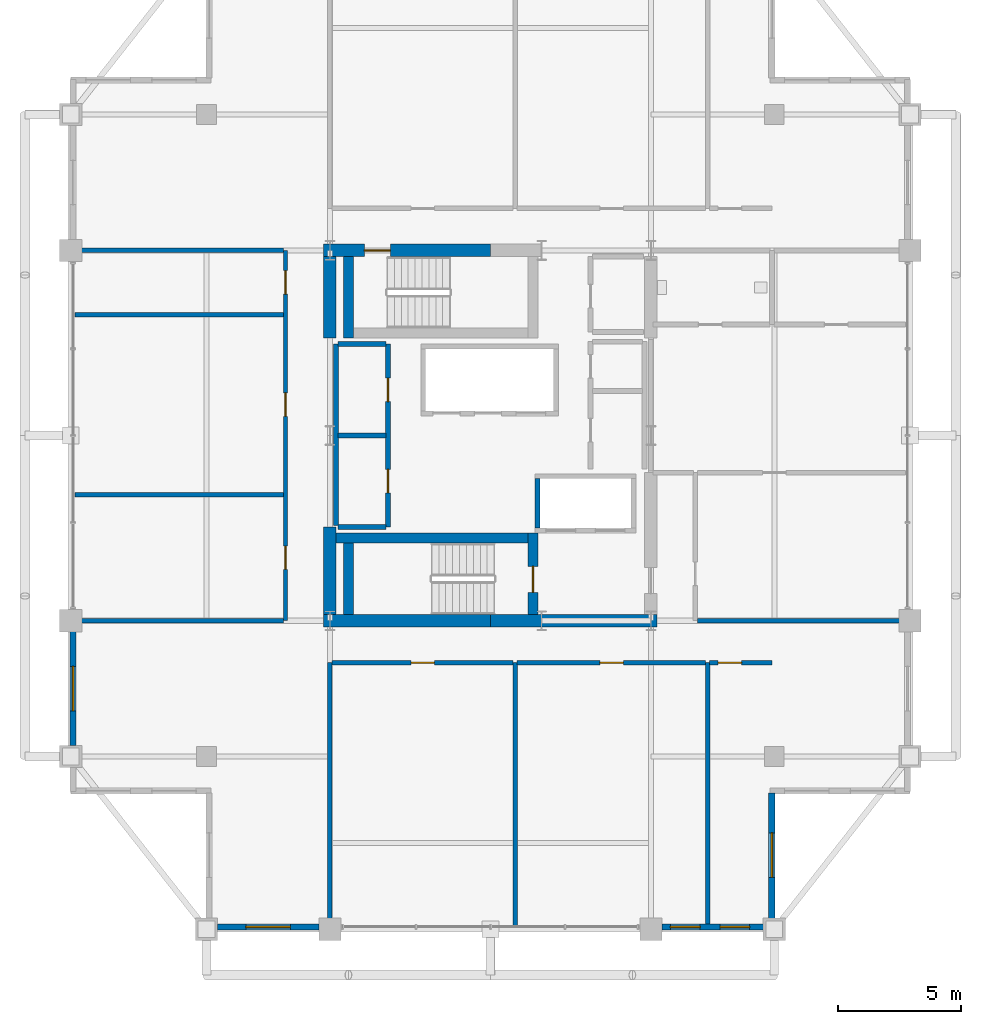
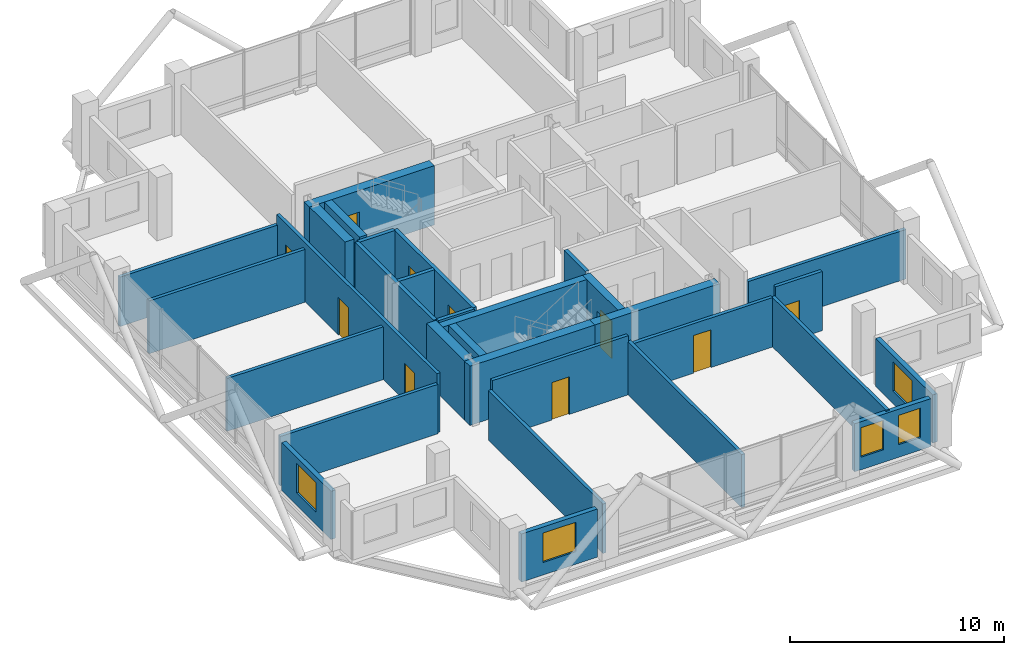
# One storey, part 19 of 24: 31 walls, 10 doors, 5 windows, 15 openings.
"""IFC4 building model written with IfcOpenShell, lengths in metres."""

from ifc_helpers import new_model, si_unit, direction, frame, frame_2d, origin, place, context, subcontext, project, spatial, rectangle, extrude, material, layer, layer_set, type_object, element, fill, save


model = new_model("IFC4")

# Units and contexts
model_context = context("Model", 3, precision=1e-05, world=origin(), true_north=direction((0.0, 1.0)))
body_context = subcontext(model_context, "Body", "Model", "MODEL_VIEW")
ifc_project = project(units=[si_unit("LENGTHUNIT", "METRE"), si_unit("AREAUNIT", "SQUARE_METRE"), si_unit("VOLUMEUNIT", "CUBIC_METRE"), si_unit("PLANEANGLEUNIT", "RADIAN"), si_unit("MASSUNIT", "GRAM", prefix="KILO")], contexts=[model_context])

# Site, building, storey
site_placement = place(None, origin())
site = spatial("IfcSite", under=ifc_project, at=site_placement, CompositionType="ELEMENT")
building_placement = place(site_placement, origin())
building = spatial("IfcBuilding", under=site, at=building_placement, Name="Barlavira Tower and Art Museum", CompositionType="ELEMENT")
storey_placement = place(building_placement, frame((0.0, 0.0, 272.699951171875)))
storey = spatial("IfcBuildingStorey", under=building, at=storey_placement, Name="L71", CompositionType="ELEMENT", Elevation=272.699951171875)

# Walls
ifc_material_1 = material(Name="Concrete C60", Category="concrete")
ifc_layer_1 = layer(ifc_material_1, 0.5, Name="Concrete C60")
ifc_layer_set_1 = layer_set([ifc_layer_1], Name="Concrete C60")
wall_type_1 = type_object("IfcWallType", Name="Core Structural Shear Wall 500 Concrete C60", PredefinedType="SHEAR", material=ifc_layer_set_1)
for number, where, z_axis, x_axis, name in (
    (1, (-6.75, -7.5, 0.0), (0.0, 0.0, 1.0), (1.0, 0.0, 0.0), "L71 Core Shear Wall CS-SW"),
    (2, (0.0, -7.5, 0.0), (0.0, 0.0, 1.0), (1.0, 0.0, 0.0), "L71 Core Shear Wall CS-SE"),
):
    element("IfcWall", number, at=place(storey_placement, frame(where, z_axis=z_axis, x_axis=x_axis)), inside=storey, type_object=wall_type_1, Name=name, PredefinedType="SHEAR", context=body_context, shape_type="SweptSolid", body=[
        extrude(rectangle(XDim=6.75, YDim=0.5, at=frame_2d((3.375, 0.0))), origin(), (0.0, 0.0, 1.0), 3.380126953125),
    ])

# Wall, opening, door
wall_1_placement = place(storey_placement, frame((-6.75, 7.5, 0.0), z_axis=(0.0, 0.0, 1.0), x_axis=(1.0, 0.0, 0.0)))
wall_1 = element("IfcWall", 3, at=wall_1_placement, inside=storey, type_object=wall_type_1, Name="L71 Core Shear Wall CS-NW", PredefinedType="SHEAR", context=body_context, shape_type="SweptSolid", body=[
    extrude(rectangle(XDim=6.75, YDim=0.5, at=frame_2d((3.375, 0.0))), origin(), (0.0, 0.0, 1.0), 3.380126953125),
])
opening_1_placement = place(wall_1_placement, frame((1.64990234375, 0.0, 0.0)))
opening_1 = element("IfcOpeningElement", 4, at=opening_1_placement, cuts=wall_1, Name="Opening FD-90", PredefinedType="OPENING", context=body_context, shape_type="SweptSolid", body=[
    extrude(rectangle(XDim=1.050048828125, YDim=2.14990234375, at=frame_2d((0.52490234375, 1.074951171875))), frame((0.0, 0.260009765625, 0.0), z_axis=(0.0, -1.0, 0.0), x_axis=(1.0, 0.0, 0.0)), (0.0, 0.0, 1.0), 0.52001953125),
])
ifc_material_2 = material(Name="Brushed stainless steel", Category="steel")
door_type_1 = type_object("IfcDoorType", Name="Stair and Refuge Fire Door 1050x2150 FD90S", OperationType="NOTDEFINED", PredefinedType="DOOR", material=ifc_material_2)
door_1_placement = place(opening_1_placement, origin())
door_1 = element("IfcDoor", 5, at=door_1_placement, inside=storey, type_object=door_type_1, Name="L71 Stair ST-T2 Fire Door", OperationType="SINGLE_SWING_LEFT", OverallHeight=2.14990234375, OverallWidth=1.050048828125, PredefinedType="DOOR", context=body_context, shape_type="SweptSolid", body=[
    extrude(rectangle(XDim=1.050048828125, YDim=2.14990234375, at=frame_2d((0.52490234375, 1.074951171875))), frame((0.0, 0.02490234375, 0.0), z_axis=(0.0, -1.0, 0.0), x_axis=(1.0, 0.0, 0.0)), (0.0, 0.0, 1.0), 0.050048828125),
])
fill(opening_1, door_1)

# Walls
wall_2_placement = place(storey_placement, frame((-6.5, -7.25, 0.0), z_axis=(0.0, 0.0, 1.0), x_axis=(0.0, 1.0, 0.0)))
element("IfcWall", 6, at=wall_2_placement, inside=storey, type_object=wall_type_1, Name="L71 Core Shear Wall CS-W1", PredefinedType="SHEAR", context=body_context, shape_type="SweptSolid", body=[
    extrude(rectangle(XDim=3.550048828125, YDim=0.5, at=frame_2d((1.77490234375, 0.0))), origin(), (0.0, 0.0, 1.0), 3.380126953125),
])
wall_3_placement = place(storey_placement, frame((-6.5, 3.949951171875, 0.0), z_axis=(0.0, 0.0, 1.0), x_axis=(0.0, 1.0, 0.0)))
element("IfcWall", 7, at=wall_3_placement, inside=storey, type_object=wall_type_1, Name="L71 Core Shear Wall CS-W2", PredefinedType="SHEAR", context=body_context, shape_type="SweptSolid", body=[
    extrude(rectangle(XDim=3.300048828125, YDim=0.5, at=frame_2d((1.64990234375, 0.0))), origin(), (0.0, 0.0, 1.0), 3.380126953125),
])
ifc_material_3 = material(Name="Autoclaved aerated concrete masonry", Category="masonry")
ifc_layer_2 = layer(ifc_material_3, 0.199951171875, Name="Autoclaved aerated concrete masonry")
ifc_layer_set_2 = layer_set([ifc_layer_2], Name="Autoclaved aerated concrete masonry")
wall_type_2 = type_object("IfcWallType", Name="Fire Compartment and Shaft Wall 200", PredefinedType="SOLIDWALL", material=ifc_layer_set_2)
wall_4_placement = place(storey_placement, frame((1.89990234375, -3.75, 0.0), z_axis=(0.0, 0.0, 1.0), x_axis=(0.0, 1.0, 0.0)))
element("IfcWall", 8, at=wall_4_placement, inside=storey, type_object=wall_type_2, Name="L71 Firefighting Lift West Shaft Wall", PredefinedType="SOLIDWALL", context=body_context, shape_type="SweptSolid", body=[
    extrude(rectangle(XDim=2.0, YDim=0.199951171875, at=frame_2d((1.0, 0.0))), origin(), (0.0, 0.0, 1.0), 3.380126953125),
])
wall_5_placement = place(storey_placement, frame((-6.25, -3.639892578125, 0.0), z_axis=(0.0, 0.0, 1.0), x_axis=(0.0, 1.0, 0.0)))
element("IfcWall", 9, at=wall_5_placement, inside=storey, type_object=wall_type_2, Name="L71 Partition Wall 4", PredefinedType="SOLIDWALL", context=body_context, shape_type="SweptSolid", body=[
    extrude(rectangle(XDim=7.33984375, YDim=0.199951171875, at=frame_2d((3.669921875, 0.0))), origin(), (0.0, 0.0, 1.0), 3.380126953125),
])

# Wall, openings, doors
wall_6_placement = place(storey_placement, frame((-4.14990234375, -3.699951171875, 0.0), z_axis=(0.0, 0.0, 1.0), x_axis=(0.0, 1.0, 0.0)))
wall_6 = element("IfcWall", 10, at=wall_6_placement, inside=storey, type_object=wall_type_2, Name="L71 Partition Wall 5", PredefinedType="SOLIDWALL", context=body_context, shape_type="SweptSolid", body=[
    extrude(rectangle(XDim=7.39990234375, YDim=0.199951171875, at=frame_2d((3.699951171875, 0.0))), origin(), (0.0, 0.0, 1.0), 3.380126953125),
])
opening_2_placement = place(wall_6_placement, frame((1.375, 0.0, 0.0)))
opening_2 = element("IfcOpeningElement", 11, at=opening_2_placement, cuts=wall_6, Name="Opening FD-60", PredefinedType="OPENING", context=body_context, shape_type="SweptSolid", body=[
    extrude(rectangle(XDim=0.949951171875, YDim=2.14990234375, at=frame_2d((0.47509765625, 1.074951171875))), frame((0.0, 0.10986328125, 0.0), z_axis=(0.0, -1.0, 0.0), x_axis=(1.0, 0.0, 0.0)), (0.0, 0.0, 1.0), 0.219970703125),
])
opening_3_placement = place(wall_6_placement, frame((5.074951171875, 0.0, 0.0)))
opening_3 = element("IfcOpeningElement", 12, at=opening_3_placement, cuts=wall_6, Name="Opening FD-60", PredefinedType="OPENING", context=body_context, shape_type="SweptSolid", body=[
    extrude(rectangle(XDim=0.949951171875, YDim=2.14990234375, at=frame_2d((0.47509765625, 1.074951171875))), frame((0.0, 0.10986328125, 0.0), z_axis=(0.0, -1.0, 0.0), x_axis=(1.0, 0.0, 0.0)), (0.0, 0.0, 1.0), 0.219970703125),
])
door_type_2 = type_object("IfcDoorType", Name="Apartment Entrance and Riser Fire Door 950x2150 FD60S", OperationType="NOTDEFINED", PredefinedType="DOOR", material=ifc_material_2)
door_2_placement = place(opening_2_placement, origin())
door_2 = element("IfcDoor", 13, at=door_2_placement, inside=storey, type_object=door_type_2, Name="Reclaimed Core Linen and Amenity Store Door", OperationType="SINGLE_SWING_RIGHT", OverallHeight=2.14990234375, OverallWidth=0.949951171875, PredefinedType="DOOR", context=body_context, shape_type="SweptSolid", body=[
    extrude(rectangle(XDim=0.949951171875, YDim=2.14990234375, at=frame_2d((0.47509765625, 1.074951171875))), frame((0.0, 0.02490234375, 0.0), z_axis=(0.0, -1.0, 0.0), x_axis=(1.0, 0.0, 0.0)), (0.0, 0.0, 1.0), 0.050048828125),
])
fill(opening_2, door_2)
door_3_placement = place(opening_3_placement, origin())
door_3 = element("IfcDoor", 14, at=door_3_placement, inside=storey, type_object=door_type_2, Name="Reclaimed Core Telecom and BMS Room Door", OperationType="SINGLE_SWING_LEFT", OverallHeight=2.14990234375, OverallWidth=0.949951171875, PredefinedType="DOOR", context=body_context, shape_type="SweptSolid", body=[
    extrude(rectangle(XDim=0.949951171875, YDim=2.14990234375, at=frame_2d((0.47509765625, 1.074951171875))), frame((0.0, 0.02490234375, 0.0), z_axis=(0.0, -1.0, 0.0), x_axis=(1.0, 0.0, 0.0)), (0.0, 0.0, 1.0), 0.050048828125),
])
fill(opening_3, door_3)

# Walls
for number, where, z_axis, x_axis, name in (
    (15, (-6.169921875, -3.699951171875, 0.0), (0.0, 0.0, 1.0), (1.0, 0.0, 0.0), "L71 Partition Wall 21"),
    (16, (-6.169921875, 0.0, 0.0), (0.0, 0.0, 1.0), (1.0, 0.0, 0.0), "L71 Partition Wall 25"),
    (17, (-6.169921875, 3.699951171875, 0.0), (0.0, 0.0, 1.0), (1.0, 0.0, 0.0), "L71 Partition Wall 27"),
):
    element("IfcWall", number, at=place(storey_placement, frame(where, z_axis=z_axis, x_axis=x_axis)), inside=storey, type_object=wall_type_2, Name=name, PredefinedType="SOLIDWALL", context=body_context, shape_type="SweptSolid", body=[
        extrude(rectangle(XDim=1.93994140625, YDim=0.199951171875, at=frame_2d((0.969970703125, 0.0))), origin(), (0.0, 0.0, 1.0), 3.380126953125),
    ])

# Wall, openings, doors
ifc_material_4 = material(Name="Gypsum acoustic stud partition", Category="gypsum")
ifc_layer_3 = layer(ifc_material_4, 0.179931640625, Name="Gypsum acoustic stud partition")
ifc_layer_set_3 = layer_set([ifc_layer_3], Name="Gypsum acoustic stud partition")
wall_type_3 = type_object("IfcWallType", Name="Inter-Tenancy Party Partition Wall 180", PredefinedType="PARTITIONING", material=ifc_layer_set_3)
wall_7_placement = place(storey_placement, frame((-8.300048828125, -7.5, 0.0), z_axis=(0.0, 0.0, 1.0), x_axis=(0.0, 1.0, 0.0)))
wall_7 = element("IfcWall", 18, at=wall_7_placement, inside=storey, type_object=wall_type_3, Name="L71 Partition Wall 1", PredefinedType="PARTITIONING", context=body_context, shape_type="SweptSolid", body=[
    extrude(rectangle(XDim=15.0, YDim=0.179931640625, at=frame_2d((7.5, 0.0))), origin(), (0.0, 0.0, 1.0), 3.380126953125),
])
opening_4_placement = place(wall_7_placement, frame((2.074951171875, 0.0, 0.0)))
opening_4 = element("IfcOpeningElement", 19, at=opening_4_placement, cuts=wall_7, Name="Opening FD-60", PredefinedType="OPENING", context=body_context, shape_type="SweptSolid", body=[
    extrude(rectangle(XDim=0.949951171875, YDim=2.14990234375, at=frame_2d((0.47509765625, 1.074951171875))), frame((0.0, 0.10009765625, 0.0), z_axis=(0.0, -1.0, 0.0), x_axis=(1.0, 0.0, 0.0)), (0.0, 0.0, 1.0), 0.199951171875),
])
opening_5_placement = place(wall_7_placement, frame((8.27490234375, 0.0, 0.0)))
opening_5 = element("IfcOpeningElement", 20, at=opening_5_placement, cuts=wall_7, Name="Opening FD-60", PredefinedType="OPENING", context=body_context, shape_type="SweptSolid", body=[
    extrude(rectangle(XDim=0.949951171875, YDim=2.14990234375, at=frame_2d((0.47509765625, 1.074951171875))), frame((0.0, 0.10009765625, 0.0), z_axis=(0.0, -1.0, 0.0), x_axis=(1.0, 0.0, 0.0)), (0.0, 0.0, 1.0), 0.199951171875),
])
opening_6_placement = place(wall_7_placement, frame((13.22509765625, 0.0, 0.0)))
opening_6 = element("IfcOpeningElement", 21, at=opening_6_placement, cuts=wall_7, Name="Opening FD-60", PredefinedType="OPENING", context=body_context, shape_type="SweptSolid", body=[
    extrude(rectangle(XDim=0.949951171875, YDim=2.14990234375, at=frame_2d((0.47509765625, 1.074951171875))), frame((0.0, 0.10009765625, 0.0), z_axis=(0.0, -1.0, 0.0), x_axis=(1.0, 0.0, 0.0)), (0.0, 0.0, 1.0), 0.199951171875),
])
door_4_placement = place(opening_4_placement, origin())
door_4 = element("IfcDoor", 22, at=door_4_placement, inside=storey, type_object=door_type_2, Name="Resident Sky Coworking Studio Door", OperationType="SINGLE_SWING_LEFT", OverallHeight=2.14990234375, OverallWidth=0.949951171875, PredefinedType="DOOR", context=body_context, shape_type="SweptSolid", body=[
    extrude(rectangle(XDim=0.949951171875, YDim=2.14990234375, at=frame_2d((0.47509765625, 1.074951171875))), frame((0.0, 0.02490234375, 0.0), z_axis=(0.0, -1.0, 0.0), x_axis=(1.0, 0.0, 0.0)), (0.0, 0.0, 1.0), 0.050048828125),
])
fill(opening_4, door_4)
door_5_placement = place(opening_5_placement, origin())
door_5 = element("IfcDoor", 23, at=door_5_placement, inside=storey, type_object=door_type_2, Name="Atlantic Horizon Boardroom Door", OperationType="SINGLE_SWING_RIGHT", OverallHeight=2.14990234375, OverallWidth=0.949951171875, PredefinedType="DOOR", context=body_context, shape_type="SweptSolid", body=[
    extrude(rectangle(XDim=0.949951171875, YDim=2.14990234375, at=frame_2d((0.47509765625, 1.074951171875))), frame((0.0, 0.02490234375, 0.0), z_axis=(0.0, -1.0, 0.0), x_axis=(1.0, 0.0, 0.0)), (0.0, 0.0, 1.0), 0.050048828125),
])
fill(opening_5, door_5)
door_6_placement = place(opening_6_placement, origin())
door_6 = element("IfcDoor", 24, at=door_6_placement, inside=storey, type_object=door_type_2, Name="Shared Coworking Espresso Pantry Door", OperationType="SINGLE_SWING_LEFT", OverallHeight=2.14990234375, OverallWidth=0.949951171875, PredefinedType="DOOR", context=body_context, shape_type="SweptSolid", body=[
    extrude(rectangle(XDim=0.949951171875, YDim=2.14990234375, at=frame_2d((0.47509765625, 1.074951171875))), frame((0.0, 0.02490234375, 0.0), z_axis=(0.0, -1.0, 0.0), x_axis=(1.0, 0.0, 0.0)), (0.0, 0.0, 1.0), 0.050048828125),
])
fill(opening_6, door_6)

# Walls
wall_8_placement = place(storey_placement, frame((-6.5, -19.89990234375, 0.0), z_axis=(0.0, 0.0, 1.0), x_axis=(0.0, 1.0, 0.0)))
element("IfcWall", 25, at=wall_8_placement, inside=storey, type_object=wall_type_3, Name="L71 Partition Wall 2", PredefinedType="PARTITIONING", context=body_context, shape_type="SweptSolid", body=[
    extrude(rectangle(XDim=10.699951171875, YDim=0.179931640625, at=frame_2d((5.35009765625, 0.0))), origin(), (0.0, 0.0, 1.0), 2.825927734375),
])
wall_9_placement = place(storey_placement, frame((1.0, -19.89990234375, 0.0), z_axis=(0.0, 0.0, 1.0), x_axis=(0.0, 1.0, 0.0)))
element("IfcWall", 26, at=wall_9_placement, inside=storey, type_object=wall_type_3, Name="L71 Partition Wall 6", PredefinedType="PARTITIONING", context=body_context, shape_type="SweptSolid", body=[
    extrude(rectangle(XDim=10.699951171875, YDim=0.179931640625, at=frame_2d((5.35009765625, 0.0))), origin(), (0.0, 0.0, 1.0), 3.01806640625),
])
wall_10_placement = place(storey_placement, frame((8.800048828125, -19.89990234375, 0.0), z_axis=(0.0, 0.0, 1.0), x_axis=(0.0, 1.0, 0.0)))
element("IfcWall", 27, at=wall_10_placement, inside=storey, type_object=wall_type_3, Name="L71 Partition Wall 13", PredefinedType="PARTITIONING", context=body_context, shape_type="SweptSolid", body=[
    extrude(rectangle(XDim=10.699951171875, YDim=0.179931640625, at=frame_2d((5.35009765625, 0.0))), origin(), (0.0, 0.0, 1.0), 2.825927734375),
])

# Wall, opening, door
wall_11_placement = place(storey_placement, frame((-6.419921875, -9.199951171875, 0.0), z_axis=(0.0, 0.0, 1.0), x_axis=(1.0, 0.0, 0.0)))
wall_11 = element("IfcWall", 28, at=wall_11_placement, inside=storey, type_object=wall_type_3, Name="L71 Partition Wall 16", PredefinedType="PARTITIONING", context=body_context, shape_type="SweptSolid", body=[
    extrude(rectangle(XDim=7.33984375, YDim=0.179931640625, at=frame_2d((3.669921875, 0.0))), origin(), (0.0, 0.0, 1.0), 3.380126953125),
])
opening_7_placement = place(wall_11_placement, frame((3.205078125, 0.0, 0.0)))
opening_7 = element("IfcOpeningElement", 29, at=opening_7_placement, cuts=wall_11, Name="Opening FD-60", PredefinedType="OPENING", context=body_context, shape_type="SweptSolid", body=[
    extrude(rectangle(XDim=0.949951171875, YDim=2.14990234375, at=frame_2d((0.47509765625, 1.074951171875))), frame((0.0, 0.10009765625, 0.0), z_axis=(0.0, -1.0, 0.0), x_axis=(1.0, 0.0, 0.0)), (0.0, 0.0, 1.0), 0.199951171875),
])
door_7_placement = place(opening_7_placement, origin())
door_7 = element("IfcDoor", 30, at=door_7_placement, inside=storey, type_object=door_type_2, Name="Resident Rare-Book Reading Room Door", OperationType="SINGLE_SWING_LEFT", OverallHeight=2.14990234375, OverallWidth=0.949951171875, PredefinedType="DOOR", context=body_context, shape_type="SweptSolid", body=[
    extrude(rectangle(XDim=0.949951171875, YDim=2.14990234375, at=frame_2d((0.47509765625, 1.074951171875))), frame((0.0, 0.02490234375, 0.0), z_axis=(0.0, -1.0, 0.0), x_axis=(1.0, 0.0, 0.0)), (0.0, 0.0, 1.0), 0.050048828125),
])
fill(opening_7, door_7)

wall_12_placement = place(storey_placement, frame((1.080078125, -9.199951171875, 0.0), z_axis=(0.0, 0.0, 1.0), x_axis=(1.0, 0.0, 0.0)))
wall_12 = element("IfcWall", 31, at=wall_12_placement, inside=storey, type_object=wall_type_3, Name="L71 Partition Wall 17", PredefinedType="PARTITIONING", context=body_context, shape_type="SweptSolid", body=[
    extrude(rectangle(XDim=7.639892578125, YDim=0.179931640625, at=frame_2d((3.81982421875, 0.0))), origin(), (0.0, 0.0, 1.0), 2.825927734375),
])
opening_8_placement = place(wall_12_placement, frame((3.35498046875, 0.0, 0.0)))
opening_8 = element("IfcOpeningElement", 32, at=opening_8_placement, cuts=wall_12, Name="Opening FD-60", PredefinedType="OPENING", context=body_context, shape_type="SweptSolid", body=[
    extrude(rectangle(XDim=0.949951171875, YDim=2.14990234375, at=frame_2d((0.47509765625, 1.074951171875))), frame((0.0, 0.10009765625, 0.0), z_axis=(0.0, -1.0, 0.0), x_axis=(1.0, 0.0, 0.0)), (0.0, 0.0, 1.0), 0.199951171875),
])
door_8_placement = place(opening_8_placement, origin())
door_8 = element("IfcDoor", 33, at=door_8_placement, inside=storey, type_object=door_type_2, Name="Private Coastal Dining Salon Door", OperationType="SINGLE_SWING_RIGHT", OverallHeight=2.14990234375, OverallWidth=0.949951171875, PredefinedType="DOOR", context=body_context, shape_type="SweptSolid", body=[
    extrude(rectangle(XDim=0.949951171875, YDim=2.14990234375, at=frame_2d((0.47509765625, 1.074951171875))), frame((0.0, 0.02490234375, 0.0), z_axis=(0.0, -1.0, 0.0), x_axis=(1.0, 0.0, 0.0)), (0.0, 0.0, 1.0), 0.050048828125),
])
fill(opening_8, door_8)

wall_13_placement = place(storey_placement, frame((8.8798828125, -9.199951171875, 0.0), z_axis=(0.0, 0.0, 1.0), x_axis=(1.0, 0.0, 0.0)))
wall_13 = element("IfcWall", 34, at=wall_13_placement, inside=storey, type_object=wall_type_3, Name="L71 Partition Wall 18", PredefinedType="PARTITIONING", context=body_context, shape_type="SweptSolid", body=[
    extrude(rectangle(XDim=2.52001953125, YDim=0.179931640625, at=frame_2d((1.260009765625, 0.0))), origin(), (0.0, 0.0, 1.0), 3.380126953125),
])
opening_9_placement = place(wall_13_placement, frame((0.344970703125, 0.0, 0.0)))
opening_9 = element("IfcOpeningElement", 35, at=opening_9_placement, cuts=wall_13, Name="Opening FD-60", PredefinedType="OPENING", context=body_context, shape_type="SweptSolid", body=[
    extrude(rectangle(XDim=0.949951171875, YDim=2.14990234375, at=frame_2d((0.47509765625, 1.074951171875))), frame((0.0, 0.10009765625, 0.0), z_axis=(0.0, -1.0, 0.0), x_axis=(1.0, 0.0, 0.0)), (0.0, 0.0, 1.0), 0.199951171875),
])
door_9_placement = place(opening_9_placement, origin())
door_9 = element("IfcDoor", 36, at=door_9_placement, inside=storey, type_object=door_type_2, Name="Shared Catering Kitchen Door", OperationType="SINGLE_SWING_LEFT", OverallHeight=2.14990234375, OverallWidth=0.949951171875, PredefinedType="DOOR", context=body_context, shape_type="SweptSolid", body=[
    extrude(rectangle(XDim=0.949951171875, YDim=2.14990234375, at=frame_2d((0.47509765625, 1.074951171875))), frame((0.0, 0.02490234375, 0.0), z_axis=(0.0, -1.0, 0.0), x_axis=(1.0, 0.0, 0.0)), (0.0, 0.0, 1.0), 0.050048828125),
])
fill(opening_9, door_9)

# Walls
for number, where, z_axis, x_axis, name in (
    (37, (-16.89990234375, -7.5, 0.0), (0.0, 0.0, 1.0), (1.0, 0.0, 0.0), "L71 Partition Wall 19"),
    (38, (8.3798828125, -7.5, 0.0), (0.0, 0.0, 1.0), (1.0, 0.0, 0.0), "L71 Partition Wall 20"),
):
    element("IfcWall", number, at=place(storey_placement, frame(where, z_axis=z_axis, x_axis=x_axis)), inside=storey, type_object=wall_type_3, Name=name, PredefinedType="PARTITIONING", context=body_context, shape_type="SweptSolid", body=[
        extrude(rectangle(XDim=8.52001953125, YDim=0.179931640625, at=frame_2d((4.260009765625, 0.0))), origin(), (0.0, 0.0, 1.0), 2.825927734375),
    ])
for number, where, z_axis, x_axis, name in (
    (39, (-16.820068359375, -2.39990234375, 0.0), (0.0, 0.0, 1.0), (1.0, 0.0, 0.0), "L71 Partition Wall 22"),
    (40, (-16.820068359375, 4.89990234375, 0.0), (0.0, 0.0, 1.0), (1.0, 0.0, 0.0), "L71 Partition Wall 32"),
):
    element("IfcWall", number, at=place(storey_placement, frame(where, z_axis=z_axis, x_axis=x_axis)), inside=storey, type_object=wall_type_3, Name=name, PredefinedType="PARTITIONING", context=body_context, shape_type="SweptSolid", body=[
        extrude(rectangle(XDim=8.440185546875, YDim=0.179931640625, at=frame_2d((4.22021484375, 0.0))), origin(), (0.0, 0.0, 1.0), 3.01806640625),
    ])
wall_14_placement = place(storey_placement, frame((-16.89990234375, 7.5, 0.0), z_axis=(0.0, 0.0, 1.0), x_axis=(1.0, 0.0, 0.0)))
element("IfcWall", 41, at=wall_14_placement, inside=storey, type_object=wall_type_3, Name="L71 Partition Wall 34", PredefinedType="PARTITIONING", context=body_context, shape_type="SweptSolid", body=[
    extrude(rectangle(XDim=8.52001953125, YDim=0.179931640625, at=frame_2d((4.260009765625, 0.0))), origin(), (0.0, 0.0, 1.0), 2.825927734375),
])

# Wall, opening, window
ifc_material_5 = material(Name="Precast concrete C40", Category="concrete")
ifc_layer_4 = layer(ifc_material_5, 0.25, Name="Precast concrete C40")
ifc_layer_set_4 = layer_set([ifc_layer_4], Name="Precast concrete C40")
wall_type_4 = type_object("IfcWallType", Name="Notched Corner Spandrel Wall 250 Precast Concrete C40", PredefinedType="SOLIDWALL", material=ifc_layer_set_4)
wall_15_placement = place(storey_placement, frame((-11.054931640625, -19.89990234375, 0.0), z_axis=(0.0, 0.0, 1.0), x_axis=(1.0, 0.0, 0.0)))
wall_15 = element("IfcWall", 42, at=wall_15_placement, inside=storey, type_object=wall_type_4, Name="L71 Coastal Facade Pier Wall CW4-L71-S-1", PredefinedType="SOLIDWALL", context=body_context, shape_type="SweptSolid", body=[
    extrude(rectangle(XDim=4.10986328125, YDim=0.25, at=frame_2d((2.054931640625, 0.0))), origin(), (0.0, 0.0, 1.0), 2.748046875),
])
opening_10_placement = place(wall_15_placement, frame((1.155029296875, 0.0, 0.719970703125)))
opening_10 = element("IfcOpeningElement", 43, at=opening_10_placement, cuts=wall_15, Name="Opening WN-01", PredefinedType="OPENING", context=body_context, shape_type="SweptSolid", body=[
    extrude(rectangle(XDim=1.800048828125, YDim=1.679931640625, at=frame_2d((0.89990234375, 0.83984375))), frame((0.0, 0.135009765625, 0.0), z_axis=(0.0, -1.0, 0.0), x_axis=(1.0, 0.0, 0.0)), (0.0, 0.0, 1.0), 0.27001953125),
])
ifc_material_6 = material(Name="Low-iron coastal laminated glass", Category="glass")
window_type_1 = type_object("IfcWindowType", Name="Recessed Notch Corner Punch Window 1800x1680", PartitioningType="SINGLE_PANEL", PredefinedType="WINDOW", material=ifc_material_6)
window_1_placement = place(opening_10_placement, origin())
window_1 = element("IfcWindow", 44, at=window_1_placement, inside=storey, type_object=window_type_1, Name="L71 Punched Facade Window EWP-CW4-L71-S-1-1", OverallHeight=1.679931640625, OverallWidth=1.800048828125, PartitioningType="SINGLE_PANEL", PredefinedType="WINDOW", context=body_context, shape_type="SweptSolid", body=[
    extrude(rectangle(XDim=1.800048828125, YDim=1.679931640625, at=frame_2d((0.89990234375, 0.83984375))), frame((0.0, 0.030029296875, 0.0), z_axis=(0.0, -1.0, 0.0), x_axis=(1.0, 0.0, 0.0)), (0.0, 0.0, 1.0), 0.06005859375),
])
fill(opening_10, window_1)

# Wall, openings, windows
wall_16_placement = place(storey_placement, frame((6.945068359375, -19.89990234375, 0.0), z_axis=(0.0, 0.0, 1.0), x_axis=(1.0, 0.0, 0.0)))
wall_16 = element("IfcWall", 45, at=wall_16_placement, inside=storey, type_object=wall_type_4, Name="L71 Coastal Facade Pier Wall CW4-L71-S-3", PredefinedType="SOLIDWALL", context=body_context, shape_type="SweptSolid", body=[
    extrude(rectangle(XDim=4.10986328125, YDim=0.25, at=frame_2d((2.054931640625, 0.0))), origin(), (0.0, 0.0, 1.0), 2.748046875),
])
opening_11_placement = place(wall_16_placement, frame((0.35009765625, 0.0, 0.719970703125)))
opening_11 = element("IfcOpeningElement", 46, at=opening_11_placement, cuts=wall_16, Name="Opening WN-05", PredefinedType="OPENING", context=body_context, shape_type="SweptSolid", body=[
    extrude(rectangle(XDim=1.199951171875, YDim=1.679931640625, at=frame_2d((0.60009765625, 0.83984375))), frame((0.0, 0.135009765625, 0.0), z_axis=(0.0, -1.0, 0.0), x_axis=(1.0, 0.0, 0.0)), (0.0, 0.0, 1.0), 0.27001953125),
])
opening_12_placement = place(wall_16_placement, frame((2.360107421875, 0.0, 0.719970703125)))
opening_12 = element("IfcOpeningElement", 47, at=opening_12_placement, cuts=wall_16, Name="Opening WN-05", PredefinedType="OPENING", context=body_context, shape_type="SweptSolid", body=[
    extrude(rectangle(XDim=1.199951171875, YDim=1.679931640625, at=frame_2d((0.60009765625, 0.83984375))), frame((0.0, 0.135009765625, 0.0), z_axis=(0.0, -1.0, 0.0), x_axis=(1.0, 0.0, 0.0)), (0.0, 0.0, 1.0), 0.27001953125),
])
window_type_2 = type_object("IfcWindowType", Name="Recessed Flank Pier Punch Window 1200x1680", PartitioningType="SINGLE_PANEL", PredefinedType="WINDOW", material=ifc_material_6)
window_2_placement = place(opening_11_placement, origin())
window_2 = element("IfcWindow", 48, at=window_2_placement, inside=storey, type_object=window_type_2, Name="L71 Punched Facade Window EWP-CW4-L71-S-3-1", OverallHeight=1.679931640625, OverallWidth=1.199951171875, PartitioningType="SINGLE_PANEL", PredefinedType="WINDOW", context=body_context, shape_type="SweptSolid", body=[
    extrude(rectangle(XDim=1.199951171875, YDim=1.679931640625, at=frame_2d((0.60009765625, 0.83984375))), frame((0.0, 0.030029296875, 0.0), z_axis=(0.0, -1.0, 0.0), x_axis=(1.0, 0.0, 0.0)), (0.0, 0.0, 1.0), 0.06005859375),
])
fill(opening_11, window_2)
window_3_placement = place(opening_12_placement, origin())
window_3 = element("IfcWindow", 49, at=window_3_placement, inside=storey, type_object=window_type_2, Name="L71 Punched Facade Window EWP-CW4-L71-S-3-2", OverallHeight=1.679931640625, OverallWidth=1.199951171875, PartitioningType="SINGLE_PANEL", PredefinedType="WINDOW", context=body_context, shape_type="SweptSolid", body=[
    extrude(rectangle(XDim=1.199951171875, YDim=1.679931640625, at=frame_2d((0.60009765625, 0.83984375))), frame((0.0, 0.030029296875, 0.0), z_axis=(0.0, -1.0, 0.0), x_axis=(1.0, 0.0, 0.0)), (0.0, 0.0, 1.0), 0.06005859375),
])
fill(opening_12, window_3)

# Wall, opening, window
wall_17_placement = place(storey_placement, frame((-16.89990234375, -7.945068359375, 0.0), z_axis=(0.0, 0.0, 1.0), x_axis=(0.0, -1.0, 0.0)))
wall_17 = element("IfcWall", 50, at=wall_17_placement, inside=storey, type_object=wall_type_4, Name="L71 Coastal Facade Pier Wall CW4-L71-W-4", PredefinedType="SOLIDWALL", context=body_context, shape_type="SweptSolid", body=[
    extrude(rectangle(XDim=4.60986328125, YDim=0.25, at=frame_2d((2.304931640625, 0.0))), origin(), (0.0, 0.0, 1.0), 2.748046875),
])
opening_13_placement = place(wall_17_placement, frame((1.405029296875, 0.0, 0.719970703125)))
opening_13 = element("IfcOpeningElement", 51, at=opening_13_placement, cuts=wall_17, Name="Opening WN-01", PredefinedType="OPENING", context=body_context, shape_type="SweptSolid", body=[
    extrude(rectangle(XDim=1.800048828125, YDim=1.679931640625, at=frame_2d((0.89990234375, 0.83984375))), frame((0.0, 0.135009765625, 0.0), z_axis=(0.0, -1.0, 0.0), x_axis=(1.0, 0.0, 0.0)), (0.0, 0.0, 1.0), 0.27001953125),
])
window_4_placement = place(opening_13_placement, origin())
window_4 = element("IfcWindow", 52, at=window_4_placement, inside=storey, type_object=window_type_1, Name="L71 Punched Facade Window EWP-CW4-L71-W-4-1", OverallHeight=1.679931640625, OverallWidth=1.800048828125, PartitioningType="SINGLE_PANEL", PredefinedType="WINDOW", context=body_context, shape_type="SweptSolid", body=[
    extrude(rectangle(XDim=1.800048828125, YDim=1.679931640625, at=frame_2d((0.89990234375, 0.83984375))), frame((0.0, 0.030029296875, 0.0), z_axis=(0.0, -1.0, 0.0), x_axis=(1.0, 0.0, 0.0)), (0.0, 0.0, 1.0), 0.06005859375),
])
fill(opening_13, window_4)

wall_18_placement = place(storey_placement, frame((11.39990234375, -19.820068359375, 0.0), z_axis=(0.0, 0.0, 1.0), x_axis=(0.0, 1.0, 0.0)))
wall_18 = element("IfcWall", 53, at=wall_18_placement, inside=storey, type_object=wall_type_4, Name="L71 Notch Corner Wall SE1", PredefinedType="SOLIDWALL", context=body_context, shape_type="SweptSolid", body=[
    extrude(rectangle(XDim=5.340087890625, YDim=0.25, at=frame_2d((2.669921875, 0.0))), origin(), (0.0, 0.0, 1.0), 2.748046875),
])
opening_14_placement = place(wall_18_placement, frame((1.925048828125, 0.0, 0.719970703125)))
opening_14 = element("IfcOpeningElement", 54, at=opening_14_placement, cuts=wall_18, Name="Opening WN-01", PredefinedType="OPENING", context=body_context, shape_type="SweptSolid", body=[
    extrude(rectangle(XDim=1.800048828125, YDim=1.679931640625, at=frame_2d((0.89990234375, 0.83984375))), frame((0.0, 0.135009765625, 0.0), z_axis=(0.0, -1.0, 0.0), x_axis=(1.0, 0.0, 0.0)), (0.0, 0.0, 1.0), 0.27001953125),
])
window_5_placement = place(opening_14_placement, origin())
window_5 = element("IfcWindow", 55, at=window_5_placement, inside=storey, type_object=window_type_1, Name="L71 Punched Facade Window EW-NTC-L71-SE1-1", OverallHeight=1.679931640625, OverallWidth=1.800048828125, PartitioningType="SINGLE_PANEL", PredefinedType="WINDOW", context=body_context, shape_type="SweptSolid", body=[
    extrude(rectangle(XDim=1.800048828125, YDim=1.679931640625, at=frame_2d((0.89990234375, 0.83984375))), frame((0.0, 0.030029296875, 0.0), z_axis=(0.0, -1.0, 0.0), x_axis=(1.0, 0.0, 0.0)), (0.0, 0.0, 1.0), 0.06005859375),
])
fill(opening_14, window_5)

# Walls
ifc_material_7 = material(Name="Concrete C55", Category="concrete")
ifc_layer_5 = layer(ifc_material_7, 0.39990234375, Name="Concrete C55")
ifc_layer_set_5 = layer_set([ifc_layer_5], Name="Concrete C55")
wall_type_5 = type_object("IfcWallType", Name="Upper Core Shear Wall 400 Concrete C55", PredefinedType="SHEAR", material=ifc_layer_set_5)
wall_19_placement = place(storey_placement, frame((-5.75, -7.25, 0.0), z_axis=(0.0, 0.0, 1.0), x_axis=(0.0, 1.0, 0.0)))
element("IfcWall", 56, at=wall_19_placement, inside=storey, type_object=wall_type_5, Name="L71 ST-T1 West Half-Landing Wall", PredefinedType="SHEAR", context=body_context, shape_type="SweptSolid", body=[
    extrude(rectangle(XDim=2.89990234375, YDim=0.39990234375, at=frame_2d((1.449951171875, 0.0))), origin(), (0.0, 0.0, 1.0), 3.380126953125),
])
wall_20_placement = place(storey_placement, frame((-6.25, -4.14990234375, 0.0), z_axis=(0.0, 0.0, 1.0), x_axis=(1.0, 0.0, 0.0)))
element("IfcWall", 57, at=wall_20_placement, inside=storey, type_object=wall_type_5, Name="L71 ST-T1 North Shaft Wall", PredefinedType="SHEAR", context=body_context, shape_type="SweptSolid", body=[
    extrude(rectangle(XDim=7.780029296875, YDim=0.39990234375, at=frame_2d((3.89013671875, 0.0))), origin(), (0.0, 0.0, 1.0), 3.380126953125),
])

# Wall, opening, door
wall_21_placement = place(storey_placement, frame((1.72998046875, -7.25, 0.0), z_axis=(0.0, 0.0, 1.0), x_axis=(0.0, 1.0, 0.0)))
wall_21 = element("IfcWall", 58, at=wall_21_placement, inside=storey, type_object=wall_type_5, Name="L71 ST-T1 East Landing Wall", PredefinedType="SHEAR", context=body_context, shape_type="SweptSolid", body=[
    extrude(rectangle(XDim=3.300048828125, YDim=0.39990234375, at=frame_2d((1.64990234375, 0.0))), origin(), (0.0, 0.0, 1.0), 3.380126953125),
])
opening_15_placement = place(wall_21_placement, frame((0.89990234375, 0.0, 0.0)))
opening_15 = element("IfcOpeningElement", 59, at=opening_15_placement, cuts=wall_21, Name="Opening FD-90", PredefinedType="OPENING", context=body_context, shape_type="SweptSolid", body=[
    extrude(rectangle(XDim=1.050048828125, YDim=2.14990234375, at=frame_2d((0.52490234375, 1.074951171875))), frame((0.0, 0.2099609375, 0.0), z_axis=(0.0, -1.0, 0.0), x_axis=(1.0, 0.0, 0.0)), (0.0, 0.0, 1.0), 0.419921875),
])
door_10_placement = place(opening_15_placement, origin())
door_10 = element("IfcDoor", 60, at=door_10_placement, inside=storey, type_object=door_type_1, Name="L71 Stair ST-T1 Fire Door", OperationType="SINGLE_SWING_RIGHT", OverallHeight=2.14990234375, OverallWidth=1.050048828125, PredefinedType="DOOR", context=body_context, shape_type="SweptSolid", body=[
    extrude(rectangle(XDim=1.050048828125, YDim=2.14990234375, at=frame_2d((0.52490234375, 1.074951171875))), frame((0.0, 0.02490234375, 0.0), z_axis=(0.0, -1.0, 0.0), x_axis=(1.0, 0.0, 0.0)), (0.0, 0.0, 1.0), 0.050048828125),
])
fill(opening_15, door_10)

# Wall
wall_22_placement = place(storey_placement, frame((-5.75, 3.949951171875, 0.0), z_axis=(0.0, 0.0, 1.0), x_axis=(0.0, 1.0, 0.0)))
element("IfcWall", 61, at=wall_22_placement, inside=storey, type_object=wall_type_5, Name="L71 ST-T2 West Shaft Wall", PredefinedType="SHEAR", context=body_context, shape_type="SweptSolid", body=[
    extrude(rectangle(XDim=3.300048828125, YDim=0.39990234375, at=frame_2d((1.64990234375, 0.0))), origin(), (0.0, 0.0, 1.0), 3.380126953125),
])

save(model, "model.ifc")
